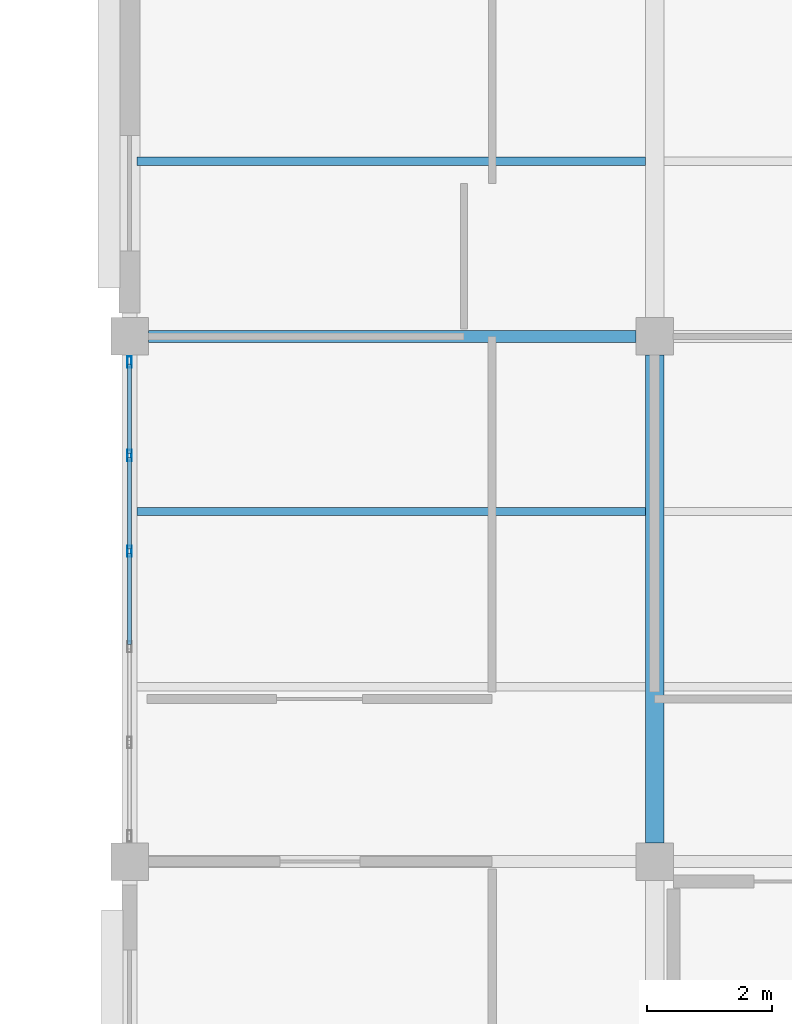
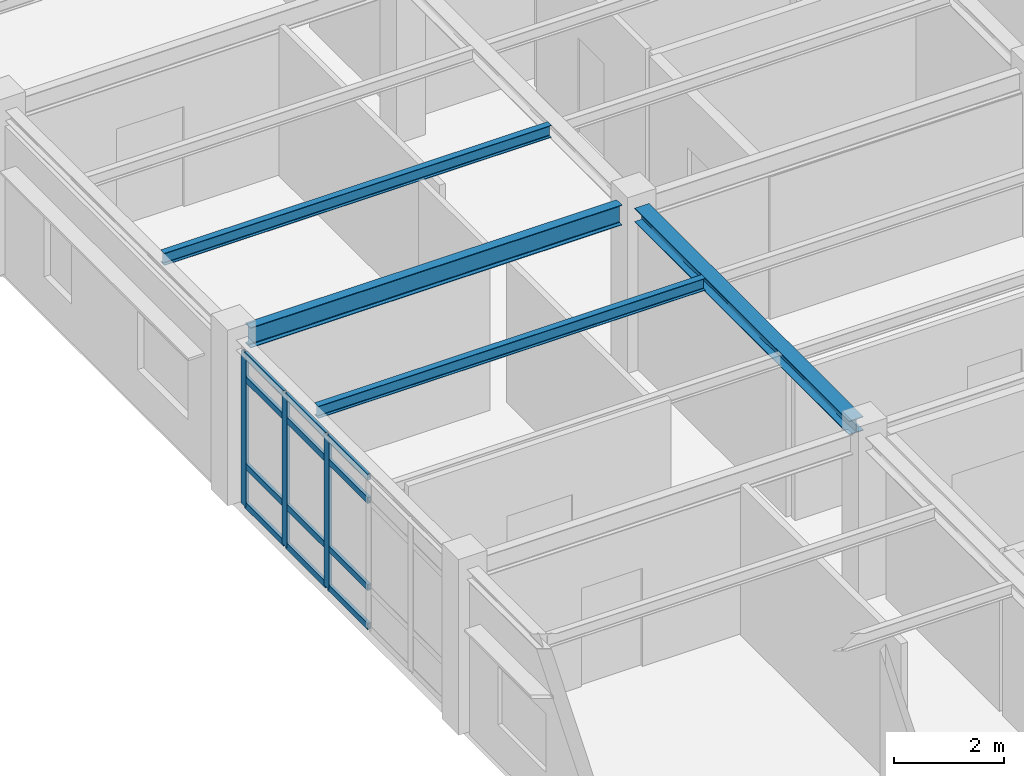
# One storey, part 21 of 70: 15 members, 4 beams, 1 element without a shape of its own.
"""IFC4 building model written with IfcOpenShell, lengths in metres."""

from ifc_helpers import new_model, si_unit, direction, frame, origin, origin_2d, place, context, subcontext, project, spatial, hollow_rectangle, i_section, extrude, material, layer, layer_set, material_profile, profile_set, type_object, element, aggregate, save


model = new_model("IFC4")

# Units and contexts
model_context = context("Model", 3, precision=1e-05, world=origin(), true_north=direction((0.0, 1.0)))
body_context = subcontext(model_context, "Body", "Model", "MODEL_VIEW")
ifc_project = project(units=[si_unit("LENGTHUNIT", "METRE"), si_unit("AREAUNIT", "SQUARE_METRE"), si_unit("VOLUMEUNIT", "CUBIC_METRE"), si_unit("PLANEANGLEUNIT", "RADIAN"), si_unit("MASSUNIT", "GRAM", prefix="KILO")], contexts=[model_context])

# Site, building, storey
site_placement = place(None, origin())
site = spatial("IfcSite", under=ifc_project, at=site_placement, CompositionType="ELEMENT")
building_placement = place(site_placement, origin())
building = spatial("IfcBuilding", under=site, at=building_placement, Name="Bramfleet General Hospital", CompositionType="ELEMENT")
storey_placement = place(building_placement, frame((0.0, 0.0, 22.5)))
storey = spatial("IfcBuildingStorey", under=building, at=storey_placement, Name="L05", CompositionType="ELEMENT", Elevation=22.5)

# Beams
ifc_material_1 = material(Name="Steel S355", Category="steel")
ifc_material_profile_1 = material_profile(ifc_material_1, i_section(OverallWidth=0.300048828125, OverallDepth=0.31005859375, WebThickness=0.009033203125, FlangeThickness=0.015380859375, FilletRadius=0.027099609375, at=origin_2d()), Name="HEA 320")
ifc_profile_set_1 = profile_set([ifc_material_profile_1], Name="Steel S355")
beam_type_1 = type_object("IfcBeamType", Name="BM-HEA320", PredefinedType="BEAM", material=ifc_profile_set_1)
beam_1_placement = place(storey_placement, frame((100.800048828125, 75.89990234375, 3.465087890625), z_axis=(0.0, 1.0, 0.0), x_axis=(-1.0, 0.0, 0.0)))
element("IfcBeam", 1, at=beam_1_placement, inside=storey, type_object=beam_type_1, Name="L05 Grid Beam Y 12-09", PredefinedType="BEAM", context=body_context, shape_type="SweptSolid", body=[
    extrude(i_section(OverallWidth=0.300048828125, OverallDepth=0.31005859375, WebThickness=0.009033203125, FlangeThickness=0.015380859375, FilletRadius=0.027099609375, at=origin_2d()), origin(), (0.0, 0.0, 1.0), 7.800048828125),
])
ifc_material_profile_2 = material_profile(ifc_material_1, i_section(OverallWidth=0.135009765625, OverallDepth=0.27001953125, WebThickness=0.006591796875, FlangeThickness=0.01025390625, FilletRadius=0.014892578125, at=origin_2d()), Name="IPE 270")
ifc_profile_set_2 = profile_set([ifc_material_profile_2], Name="Steel S355")
beam_type_2 = type_object("IfcBeamType", Name="BM-IPE270", PredefinedType="JOIST", material=ifc_profile_set_2)
for number, where, z_axis, x_axis, name in (
    (2, (92.52001953125, 81.199951171875, 3.485107421875), (1.0, 0.0, 0.0), (0.0, 1.0, 0.0), "L05 Secondary Joist 11-09-2"),
    (3, (92.52001953125, 86.800048828125, 3.485107421875), (1.0, 0.0, 0.0), (0.0, 1.0, 0.0), "L05 Secondary Joist 11-10-1"),
):
    element("IfcBeam", number, at=place(storey_placement, frame(where, z_axis=z_axis, x_axis=x_axis)), inside=storey, type_object=beam_type_2, Name=name, PredefinedType="JOIST", context=body_context, shape_type="SweptSolid", body=[
        extrude(i_section(OverallWidth=0.135009765625, OverallDepth=0.27001953125, WebThickness=0.006591796875, FlangeThickness=0.01025390625, FilletRadius=0.014892578125, at=origin_2d()), origin(), (0.0, 0.0, 1.0), 8.1298828125),
    ])
ifc_material_profile_3 = material_profile(ifc_material_1, i_section(OverallWidth=0.18994140625, OverallDepth=0.449951171875, WebThickness=0.009521484375, FlangeThickness=0.0146484375, FilletRadius=0.02099609375, at=origin_2d()), Name="IPE 450")
ifc_profile_set_3 = profile_set([ifc_material_profile_3], Name="Steel S355")
beam_type_3 = type_object("IfcBeamType", Name="BM-IPE450", PredefinedType="BEAM", material=ifc_profile_set_3)
beam_2_placement = place(storey_placement, frame((92.699951171875, 84.0, 3.39501953125), z_axis=(1.0, 0.0, 0.0), x_axis=(0.0, 1.0, 0.0)))
element("IfcBeam", 4, at=beam_2_placement, inside=storey, type_object=beam_type_3, Name="L05 Grid Beam X 11-10", PredefinedType="BEAM", context=body_context, shape_type="SweptSolid", body=[
    extrude(i_section(OverallWidth=0.18994140625, OverallDepth=0.449951171875, WebThickness=0.009521484375, FlangeThickness=0.0146484375, FilletRadius=0.02099609375, at=origin_2d()), origin(), (0.0, 0.0, 1.0), 7.800048828125),
])

# Curtain wall, members
ifc_material_2 = material(Name="Anodised aluminium and low-E triple glazing", Category="aluminium")
ifc_layer = layer(ifc_material_2, 0.179931640625, Name="CWT-CW-02")
ifc_layer_set = layer_set([ifc_layer], Name="Anodised aluminium and low-E triple glazing")
curtain_wall_type = type_object("IfcCurtainWallType", Name="CWT-CW-02", PredefinedType="USERDEFINED", material=ifc_layer_set)
curtain_wall_placement = place(storey_placement, origin())
curtain_wall = element("IfcCurtainWall", 5, at=curtain_wall_placement, inside=storey, type_object=curtain_wall_type, Name="L05 Curtain Wall 200", ObjectType="Unitised curtain wall", PredefinedType="USERDEFINED")
ifc_material_3 = material(Name="Anodised aluminium EN AW-6060", Category="aluminium")
ifc_material_profile_4 = material_profile(ifc_material_3, hollow_rectangle(XDim=0.070068359375, YDim=0.179931640625, WallThickness=0.00390625, at=origin_2d()), Name="ALU 180x70x4.0")
ifc_profile_set_4 = profile_set([ifc_material_profile_4], Name="Anodised aluminium EN AW-6060")
member_type_1 = type_object("IfcMemberType", Name="CWM-ALU180", PredefinedType="MULLION", material=ifc_profile_set_4)
member_1_placement = place(storey_placement, frame((92.39990234375, 80.56494140625, 0.0), z_axis=(0.0, 0.0, 1.0), x_axis=(-1.0, 0.0, 0.0)))
member_1 = element("IfcMember", 6, at=member_1_placement, type_object=member_type_1, Name="CW-02 mullion 4", PredefinedType="MULLION", context=body_context, shape_type="SweptSolid", body=[
    extrude(hollow_rectangle(XDim=0.070068359375, YDim=0.179931640625, WallThickness=0.00390625, at=origin_2d()), origin(), (0.0, 0.0, 1.0), 3.3798828125),
])
member_2_placement = place(storey_placement, frame((92.39990234375, 82.094970703125, 0.0), z_axis=(0.0, 0.0, 1.0), x_axis=(-1.0, 0.0, 0.0)))
member_2 = element("IfcMember", 7, at=member_2_placement, type_object=member_type_1, Name="CW-02 mullion 5", PredefinedType="MULLION", context=body_context, shape_type="SweptSolid", body=[
    extrude(hollow_rectangle(XDim=0.070068359375, YDim=0.179931640625, WallThickness=0.00390625, at=origin_2d()), origin(), (0.0, 0.0, 1.0), 3.3798828125),
])
member_3_placement = place(storey_placement, frame((92.39990234375, 83.590087890625, 0.0), z_axis=(0.0, 0.0, 1.0), x_axis=(-1.0, 0.0, 0.0)))
member_3 = element("IfcMember", 8, at=member_3_placement, type_object=member_type_1, Name="CW-02 mullion 6", PredefinedType="MULLION", context=body_context, shape_type="SweptSolid", body=[
    extrude(hollow_rectangle(XDim=0.070068359375, YDim=0.179931640625, WallThickness=0.00390625, at=origin_2d()), origin(), (0.0, 0.0, 1.0), 3.3798828125),
])
ifc_material_profile_5 = material_profile(ifc_material_3, hollow_rectangle(XDim=0.06494140625, YDim=0.139892578125, WallThickness=0.00390625, at=origin_2d()), Name="ALU 140x65x4.0")
ifc_profile_set_5 = profile_set([ifc_material_profile_5], Name="Anodised aluminium EN AW-6060")
member_type_2 = type_object("IfcMemberType", Name="CWT-ALU140", PredefinedType="USERDEFINED", material=ifc_profile_set_5)
member_4_placement = place(storey_placement, frame((92.39990234375, 79.070068359375, 0.032470703125), z_axis=(0.0, 1.0, 0.0), x_axis=(-1.0, 0.0, 0.0)))
member_4 = element("IfcMember", 9, at=member_4_placement, type_object=member_type_2, Name="CW-02 transom 3.1", ObjectType="TRANSOM", PredefinedType="USERDEFINED", context=body_context, shape_type="SweptSolid", body=[
    extrude(hollow_rectangle(XDim=0.06494140625, YDim=0.139892578125, WallThickness=0.00390625, at=origin_2d()), origin(), (0.0, 0.0, 1.0), 1.4599609375),
])
member_5_placement = place(storey_placement, frame((92.39990234375, 79.070068359375, 0.89990234375), z_axis=(0.0, 1.0, 0.0), x_axis=(-1.0, 0.0, 0.0)))
member_5 = element("IfcMember", 10, at=member_5_placement, type_object=member_type_2, Name="CW-02 transom 3.2", ObjectType="TRANSOM", PredefinedType="USERDEFINED", context=body_context, shape_type="SweptSolid", body=[
    extrude(hollow_rectangle(XDim=0.06494140625, YDim=0.139892578125, WallThickness=0.00390625, at=origin_2d()), origin(), (0.0, 0.0, 1.0), 1.4599609375),
])
member_6_placement = place(storey_placement, frame((92.39990234375, 79.070068359375, 2.830078125), z_axis=(0.0, 1.0, 0.0), x_axis=(-1.0, 0.0, 0.0)))
member_6 = element("IfcMember", 11, at=member_6_placement, type_object=member_type_2, Name="CW-02 transom 3.3", ObjectType="TRANSOM", PredefinedType="USERDEFINED", context=body_context, shape_type="SweptSolid", body=[
    extrude(hollow_rectangle(XDim=0.06494140625, YDim=0.139892578125, WallThickness=0.00390625, at=origin_2d()), origin(), (0.0, 0.0, 1.0), 1.4599609375),
])
member_7_placement = place(storey_placement, frame((92.39990234375, 79.070068359375, 3.347412109375), z_axis=(0.0, 1.0, 0.0), x_axis=(-1.0, 0.0, 0.0)))
member_7 = element("IfcMember", 12, at=member_7_placement, type_object=member_type_2, Name="CW-02 transom 3.4", ObjectType="TRANSOM", PredefinedType="USERDEFINED", context=body_context, shape_type="SweptSolid", body=[
    extrude(hollow_rectangle(XDim=0.06494140625, YDim=0.139892578125, WallThickness=0.00390625, at=origin_2d()), origin(), (0.0, 0.0, 1.0), 1.4599609375),
])
member_8_placement = place(storey_placement, frame((92.39990234375, 80.60009765625, 0.032470703125), z_axis=(0.0, 1.0, 0.0), x_axis=(-1.0, 0.0, 0.0)))
member_8 = element("IfcMember", 13, at=member_8_placement, type_object=member_type_2, Name="CW-02 transom 4.1", ObjectType="TRANSOM", PredefinedType="USERDEFINED", context=body_context, shape_type="SweptSolid", body=[
    extrude(hollow_rectangle(XDim=0.06494140625, YDim=0.139892578125, WallThickness=0.00390625, at=origin_2d()), origin(), (0.0, 0.0, 1.0), 1.4599609375),
])
member_9_placement = place(storey_placement, frame((92.39990234375, 80.60009765625, 0.89990234375), z_axis=(0.0, 1.0, 0.0), x_axis=(-1.0, 0.0, 0.0)))
member_9 = element("IfcMember", 14, at=member_9_placement, type_object=member_type_2, Name="CW-02 transom 4.2", ObjectType="TRANSOM", PredefinedType="USERDEFINED", context=body_context, shape_type="SweptSolid", body=[
    extrude(hollow_rectangle(XDim=0.06494140625, YDim=0.139892578125, WallThickness=0.00390625, at=origin_2d()), origin(), (0.0, 0.0, 1.0), 1.4599609375),
])
member_10_placement = place(storey_placement, frame((92.39990234375, 80.60009765625, 2.830078125), z_axis=(0.0, 1.0, 0.0), x_axis=(-1.0, 0.0, 0.0)))
member_10 = element("IfcMember", 15, at=member_10_placement, type_object=member_type_2, Name="CW-02 transom 4.3", ObjectType="TRANSOM", PredefinedType="USERDEFINED", context=body_context, shape_type="SweptSolid", body=[
    extrude(hollow_rectangle(XDim=0.06494140625, YDim=0.139892578125, WallThickness=0.00390625, at=origin_2d()), origin(), (0.0, 0.0, 1.0), 1.4599609375),
])
member_11_placement = place(storey_placement, frame((92.39990234375, 80.60009765625, 3.347412109375), z_axis=(0.0, 1.0, 0.0), x_axis=(-1.0, 0.0, 0.0)))
member_11 = element("IfcMember", 16, at=member_11_placement, type_object=member_type_2, Name="CW-02 transom 4.4", ObjectType="TRANSOM", PredefinedType="USERDEFINED", context=body_context, shape_type="SweptSolid", body=[
    extrude(hollow_rectangle(XDim=0.06494140625, YDim=0.139892578125, WallThickness=0.00390625, at=origin_2d()), origin(), (0.0, 0.0, 1.0), 1.4599609375),
])
member_12_placement = place(storey_placement, frame((92.39990234375, 82.1298828125, 0.032470703125), z_axis=(0.0, 1.0, 0.0), x_axis=(-1.0, 0.0, 0.0)))
member_12 = element("IfcMember", 17, at=member_12_placement, type_object=member_type_2, Name="CW-02 transom 5.1", ObjectType="TRANSOM", PredefinedType="USERDEFINED", context=body_context, shape_type="SweptSolid", body=[
    extrude(hollow_rectangle(XDim=0.06494140625, YDim=0.139892578125, WallThickness=0.00390625, at=origin_2d()), origin(), (0.0, 0.0, 1.0), 1.425048828125),
])
member_13_placement = place(storey_placement, frame((92.39990234375, 82.1298828125, 0.89990234375), z_axis=(0.0, 1.0, 0.0), x_axis=(-1.0, 0.0, 0.0)))
member_13 = element("IfcMember", 18, at=member_13_placement, type_object=member_type_2, Name="CW-02 transom 5.2", ObjectType="TRANSOM", PredefinedType="USERDEFINED", context=body_context, shape_type="SweptSolid", body=[
    extrude(hollow_rectangle(XDim=0.06494140625, YDim=0.139892578125, WallThickness=0.00390625, at=origin_2d()), origin(), (0.0, 0.0, 1.0), 1.425048828125),
])
member_14_placement = place(storey_placement, frame((92.39990234375, 82.1298828125, 2.830078125), z_axis=(0.0, 1.0, 0.0), x_axis=(-1.0, 0.0, 0.0)))
member_14 = element("IfcMember", 19, at=member_14_placement, type_object=member_type_2, Name="CW-02 transom 5.3", ObjectType="TRANSOM", PredefinedType="USERDEFINED", context=body_context, shape_type="SweptSolid", body=[
    extrude(hollow_rectangle(XDim=0.06494140625, YDim=0.139892578125, WallThickness=0.00390625, at=origin_2d()), origin(), (0.0, 0.0, 1.0), 1.425048828125),
])
member_15_placement = place(storey_placement, frame((92.39990234375, 82.1298828125, 3.347412109375), z_axis=(0.0, 1.0, 0.0), x_axis=(-1.0, 0.0, 0.0)))
member_15 = element("IfcMember", 20, at=member_15_placement, type_object=member_type_2, Name="CW-02 transom 5.4", ObjectType="TRANSOM", PredefinedType="USERDEFINED", context=body_context, shape_type="SweptSolid", body=[
    extrude(hollow_rectangle(XDim=0.06494140625, YDim=0.139892578125, WallThickness=0.00390625, at=origin_2d()), origin(), (0.0, 0.0, 1.0), 1.425048828125),
])
aggregate(curtain_wall, [member_1, member_2, member_3, member_4, member_5, member_6, member_7, member_8, member_9, member_10, member_11, member_12, member_13, member_14, member_15])

save(model, "model.ifc")
